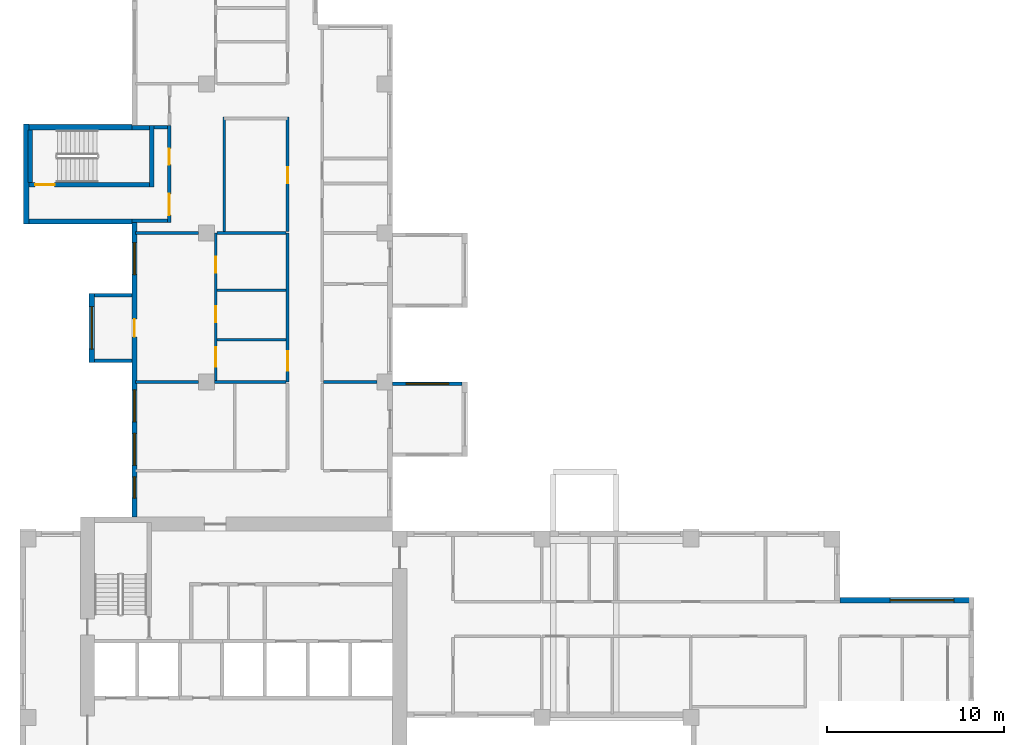
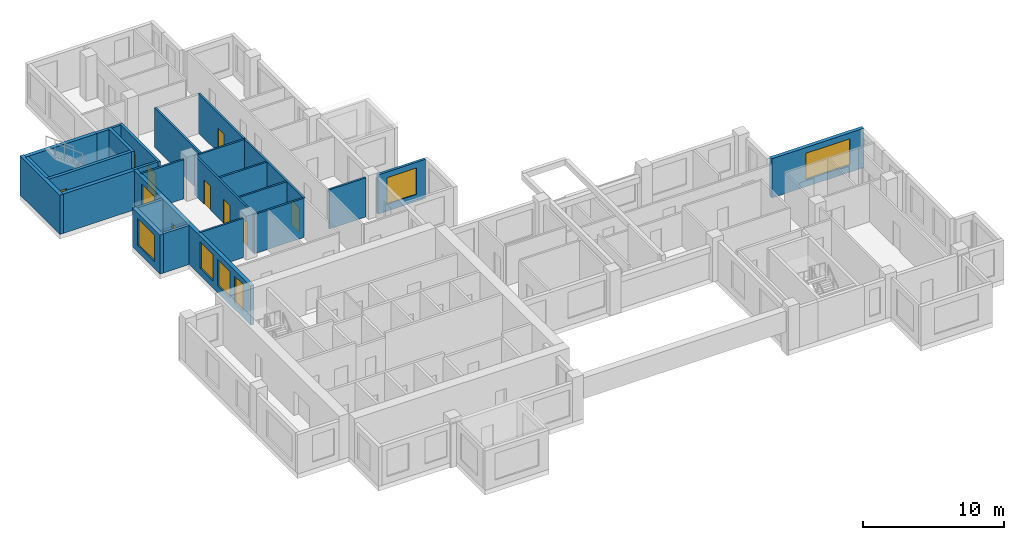
# One storey, part 6 of 11: 27 walls, 9 doors, 7 windows, 16 openings.
"""IFC4 building model written with IfcOpenShell, lengths in metres."""

from ifc_helpers import new_model, si_unit, direction, frame, frame_2d, origin, place, context, subcontext, project, spatial, rectangle, extrude, source, transform, mapped, material, layer, layer_set, type_object, element, fill, save


model = new_model("IFC4")

# Units and contexts
model_context = context("Model", 3, precision=1e-05, world=origin(), true_north=direction((0.0, 1.0)))
body_context = subcontext(model_context, "Body", "Model", "MODEL_VIEW")
ifc_project = project(units=[si_unit("LENGTHUNIT", "METRE"), si_unit("AREAUNIT", "SQUARE_METRE"), si_unit("VOLUMEUNIT", "CUBIC_METRE"), si_unit("PLANEANGLEUNIT", "RADIAN"), si_unit("MASSUNIT", "GRAM", prefix="KILO")], contexts=[model_context])

# Site, building, storey
site_placement = place(None, origin())
site = spatial("IfcSite", under=ifc_project, at=site_placement, CompositionType="ELEMENT")
building_placement = place(site_placement, origin())
building = spatial("IfcBuilding", under=site, at=building_placement, Name="Aurelian Terraces", CompositionType="ELEMENT")
storey_placement = place(building_placement, frame((0.0, 0.0, 212.0)))
storey = spatial("IfcBuildingStorey", under=building, at=storey_placement, Name="L47", CompositionType="ELEMENT", Elevation=212.0)

# Walls
ifc_material_1 = material(Name="Concrete fc' 40 MPa", Category="concrete")
ifc_layer_1 = layer(ifc_material_1, 0.3)
ifc_layer_set_1 = layer_set([ifc_layer_1], Name="STAIR BAY WALL 300")
wall_type_1 = type_object("IfcWallType", Name="STAIR BAY WALL 300", PredefinedType="SOLIDWALL", material=ifc_layer_set_1)
shared_shape_1 = source(origin(), body_context, "Body", "SweptSolid", [
    extrude(rectangle(XDim=6.1, YDim=0.3, at=frame_2d((3.05, 0.0))), origin(), (0.0, 0.0, 1.0), 3.4),
])
for number, where, z_axis, x_axis, name in (
    (1, (6.3, 43.75, 0.0), (0.0, 0.0, 1.0), (-1.0, 0.0, 0.0), "Stair bay wall L47 F17.30"),
    (2, (0.2, 38.45, 0.0), (0.0, 0.0, 1.0), (1.0, 0.0, 0.0), "Stair bay wall L47 F19.32"),
):
    element("IfcWall", number, at=place(storey_placement, frame(where, z_axis=z_axis, x_axis=x_axis)), inside=storey, type_object=wall_type_1, Name=name, PredefinedType="SOLIDWALL", context=body_context, shape_type="MappedRepresentation", body=[
        mapped(shared_shape_1, transform((0.0, 0.0, 0.0), scale=1.0)),
    ])

# Wall, opening, window
ifc_layer_2 = layer(ifc_material_1, 0.2)
ifc_layer_set_2 = layer_set([ifc_layer_2], Name="BOX BEARING WALL 200")
wall_type_2 = type_object("IfcWallType", Name="BOX BEARING WALL 200", PredefinedType="SOLIDWALL", material=ifc_layer_set_2)
shared_shape_2 = source(origin(), body_context, "Body", "SweptSolid", [
    extrude(rectangle(XDim=3.9, YDim=0.2, at=frame_2d((1.95, 0.0))), origin(), (0.0, 0.0, 1.0), 3.39),
])
wall_1_placement = place(storey_placement, frame((21.0, 29.3, 0.0), z_axis=(0.0, 0.0, 1.0), x_axis=(1.0, 0.0, 0.0)))
wall_1 = element("IfcWall", 3, at=wall_1_placement, inside=storey, type_object=wall_type_2, Name="Box return L47 J68.2", PredefinedType="SOLIDWALL", context=body_context, shape_type="MappedRepresentation", body=[
    mapped(shared_shape_2, transform((0.0, 0.0, 0.0), scale=1.0)),
])
shared_shape_3 = source(origin(), body_context, "Body", "SweptSolid", [
    extrude(rectangle(XDim=2.4, YDim=2.3, at=frame_2d((1.2, 1.15))), frame((0.0, 0.11, 0.0), z_axis=(0.0, -1.0, 0.0), x_axis=(1.0, 0.0, 0.0)), (0.0, 0.0, 1.0), 0.22),
])
opening_1_placement = place(wall_1_placement, frame((0.75, 0.0, 0.6)))
opening_1 = element("IfcOpeningElement", 4, at=opening_1_placement, cuts=wall_1, Name="Opening W2423", PredefinedType="OPENING", context=body_context, shape_type="MappedRepresentation", body=[
    mapped(shared_shape_3, transform((0.0, 0.0, 0.0), scale=1.0)),
])
ifc_material_2 = material(Name="Clear glazing", Category="glass")
window_type_1 = type_object("IfcWindowType", Name="W-2400x2300", PartitioningType="SINGLE_PANEL", PredefinedType="WINDOW", material=ifc_material_2)
shared_shape_4 = source(origin(), body_context, "Body", "SweptSolid", [
    extrude(rectangle(XDim=2.4, YDim=2.3, at=frame_2d((1.2, 1.15))), frame((0.0, 0.03, 0.0), z_axis=(0.0, -1.0, 0.0), x_axis=(1.0, 0.0, 0.0)), (0.0, 0.0, 1.0), 0.06),
])
window_1_placement = place(opening_1_placement, origin())
window_1 = element("IfcWindow", 5, at=window_1_placement, inside=storey, type_object=window_type_1, Name="Window L47 J68-S2", OverallHeight=2.3, OverallWidth=2.4, PartitioningType="SINGLE_PANEL", PredefinedType="WINDOW", context=body_context, shape_type="MappedRepresentation", body=[
    mapped(shared_shape_4, transform((0.0, 0.0, 0.0), scale=1.0)),
])
fill(opening_1, window_1)

# Wall
shared_shape_5 = source(origin(), body_context, "Body", "SweptSolid", [
    extrude(rectangle(XDim=5.65, YDim=0.3, at=frame_2d((2.825, 0.0))), origin(), (0.0, 0.0, 1.0), 3.4),
])
wall_2_placement = place(storey_placement, frame((0.35, 43.95, 0.0), z_axis=(0.0, 0.0, 1.0), x_axis=(0.0, -1.0, 0.0)))
element("IfcWall", 6, at=wall_2_placement, inside=storey, type_object=wall_type_1, Name="Stair bay wall L47 F18.31", PredefinedType="SOLIDWALL", context=body_context, shape_type="MappedRepresentation", body=[
    mapped(shared_shape_5, transform((0.0, 0.0, 0.0), scale=1.0)),
])

# Wall, openings, windows, door
ifc_material_3 = material(Name="Terracotta rainscreen cladding", Category="masonry")
ifc_layer_3 = layer(ifc_material_3, 0.3)
ifc_layer_set_3 = layer_set([ifc_layer_3], Name="EW-300")
wall_type_3 = type_object("IfcWallType", Name="EW-300", PredefinedType="STANDARD", material=ifc_layer_set_3)
shared_shape_6 = source(origin(), body_context, "Body", "SweptSolid", [
    extrude(rectangle(XDim=16.6, YDim=0.3, at=frame_2d((8.3, 0.0))), origin(), (0.0, 0.0, 1.0), 3.4),
])
wall_3_placement = place(storey_placement, frame((6.45, 38.4, 0.0), z_axis=(0.0, 0.0, 1.0), x_axis=(0.0, -1.0, 0.0)))
wall_3 = element("IfcWall", 7, at=wall_3_placement, inside=storey, type_object=wall_type_3, Name="External wall L47 F20.33", PredefinedType="STANDARD", context=body_context, shape_type="MappedRepresentation", body=[
    mapped(shared_shape_6, transform((0.0, 0.0, 0.0), scale=1.0)),
])
shared_shape_7 = source(origin(), body_context, "Body", "SweptSolid", [
    extrude(rectangle(XDim=1.8, YDim=2.3, at=frame_2d((0.9, 1.15))), frame((0.0, 0.16, 0.0), z_axis=(0.0, -1.0, 0.0), x_axis=(1.0, 0.0, 0.0)), (0.0, 0.0, 1.0), 0.32),
])
opening_2_placement = place(wall_3_placement, frame((1.15, 0.0, 0.6)))
opening_2 = element("IfcOpeningElement", 8, at=opening_2_placement, cuts=wall_3, Name="Opening W1823", PredefinedType="OPENING", context=body_context, shape_type="MappedRepresentation", body=[
    mapped(shared_shape_7, transform((0.0, 0.0, 0.0), scale=1.0)),
])
opening_3_placement = place(wall_3_placement, frame((9.4375, 0.0, 0.6)))
opening_3 = element("IfcOpeningElement", 9, at=opening_3_placement, cuts=wall_3, Name="Opening W1823", PredefinedType="OPENING", context=body_context, shape_type="MappedRepresentation", body=[
    mapped(shared_shape_7, transform((0.0, 0.0, 0.0), scale=1.0)),
])
shared_shape_8 = source(origin(), body_context, "Body", "SweptSolid", [
    extrude(rectangle(XDim=1.2, YDim=2.3, at=frame_2d((0.6, 1.15))), frame((0.0, 0.16, 0.0), z_axis=(0.0, -1.0, 0.0), x_axis=(1.0, 0.0, 0.0)), (0.0, 0.0, 1.0), 0.32),
])
opening_4_placement = place(wall_3_placement, frame((14.3375, 0.0, 0.6)))
opening_4 = element("IfcOpeningElement", 10, at=opening_4_placement, cuts=wall_3, Name="Opening W1223", PredefinedType="OPENING", context=body_context, shape_type="MappedRepresentation", body=[
    mapped(shared_shape_8, transform((0.0, 0.0, 0.0), scale=1.0)),
])
opening_5_placement = place(wall_3_placement, frame((11.8875, 0.0, 0.6)))
opening_5 = element("IfcOpeningElement", 11, at=opening_5_placement, cuts=wall_3, Name="Opening W1823", PredefinedType="OPENING", context=body_context, shape_type="MappedRepresentation", body=[
    mapped(shared_shape_7, transform((0.0, 0.0, 0.0), scale=1.0)),
])
shared_shape_9 = source(origin(), body_context, "Body", "SweptSolid", [
    extrude(rectangle(XDim=1.0, YDim=2.1, at=frame_2d((0.5, 1.05))), frame((0.0, 0.16, 0.0), z_axis=(0.0, -1.0, 0.0), x_axis=(1.0, 0.0, 0.0)), (0.0, 0.0, 1.0), 0.32),
])
opening_6_placement = place(wall_3_placement, frame((5.45, 0.0, 0.0)))
opening_6 = element("IfcOpeningElement", 12, at=opening_6_placement, cuts=wall_3, Name="Opening 847003", PredefinedType="OPENING", context=body_context, shape_type="MappedRepresentation", body=[
    mapped(shared_shape_9, transform((0.0, 0.0, 0.0), scale=1.0)),
])
window_type_2 = type_object("IfcWindowType", Name="W-1200x2300", PartitioningType="SINGLE_PANEL", PredefinedType="WINDOW", material=ifc_material_2)
shared_shape_10 = source(origin(), body_context, "Body", "SweptSolid", [
    extrude(rectangle(XDim=1.2, YDim=2.3, at=frame_2d((0.6, 1.15))), frame((0.0, 0.03, 0.0), z_axis=(0.0, -1.0, 0.0), x_axis=(1.0, 0.0, 0.0)), (0.0, 0.0, 1.0), 0.06),
])
window_2_placement = place(opening_4_placement, origin())
window_2 = element("IfcWindow", 13, at=window_2_placement, inside=storey, type_object=window_type_2, Name="Window L47 L47-F20-33-3", OverallHeight=2.3, OverallWidth=1.2, PartitioningType="SINGLE_PANEL", PredefinedType="WINDOW", context=body_context, shape_type="MappedRepresentation", body=[
    mapped(shared_shape_10, transform((0.0, 0.0, 0.0), scale=1.0)),
])
fill(opening_4, window_2)
window_type_3 = type_object("IfcWindowType", Name="W-1800x2300", PartitioningType="SINGLE_PANEL", PredefinedType="WINDOW", material=ifc_material_2)
shared_shape_11 = source(origin(), body_context, "Body", "SweptSolid", [
    extrude(rectangle(XDim=1.8, YDim=2.3, at=frame_2d((0.9, 1.15))), frame((0.0, 0.03, 0.0), z_axis=(0.0, -1.0, 0.0), x_axis=(1.0, 0.0, 0.0)), (0.0, 0.0, 1.0), 0.06),
])
window_3_placement = place(opening_2_placement, origin())
window_3 = element("IfcWindow", 14, at=window_3_placement, inside=storey, type_object=window_type_3, Name="Window L47 L47-F20-33-0", OverallHeight=2.3, OverallWidth=1.8, PartitioningType="SINGLE_PANEL", PredefinedType="WINDOW", context=body_context, shape_type="MappedRepresentation", body=[
    mapped(shared_shape_11, transform((0.0, 0.0, 0.0), scale=1.0)),
])
fill(opening_2, window_3)
window_4_placement = place(opening_3_placement, origin())
window_4 = element("IfcWindow", 15, at=window_4_placement, inside=storey, type_object=window_type_3, Name="Window L47 L47-F20-33-2", OverallHeight=2.3, OverallWidth=1.8, PartitioningType="SINGLE_PANEL", PredefinedType="WINDOW", context=body_context, shape_type="MappedRepresentation", body=[
    mapped(shared_shape_11, transform((0.0, 0.0, 0.0), scale=1.0)),
])
fill(opening_3, window_4)
window_5_placement = place(opening_5_placement, origin())
window_5 = element("IfcWindow", 16, at=window_5_placement, inside=storey, type_object=window_type_3, Name="Window L47 L47-F20-33-G0-111", OverallHeight=2.3, OverallWidth=1.8, PartitioningType="SINGLE_PANEL", PredefinedType="WINDOW", context=body_context, shape_type="MappedRepresentation", body=[
    mapped(shared_shape_11, transform((0.0, 0.0, 0.0), scale=1.0)),
])
fill(opening_5, window_5)
ifc_material_4 = material(Name="Timber door leaf", Category="wood")
door_type_1 = type_object("IfcDoorType", Name="Room door 1000x2100 left", OperationType="SINGLE_SWING_LEFT", PredefinedType="DOOR", material=ifc_material_4)
shared_shape_12 = source(origin(), body_context, "Body", "SweptSolid", [
    extrude(rectangle(XDim=1.0, YDim=2.1, at=frame_2d((0.5, 1.05))), frame((0.0, 0.025, 0.0), z_axis=(0.0, -1.0, 0.0), x_axis=(1.0, 0.0, 0.0)), (0.0, 0.0, 1.0), 0.05),
])
door_1_placement = place(opening_6_placement, origin())
door_1 = element("IfcDoor", 17, at=door_1_placement, inside=storey, type_object=door_type_1, Name="Door 847003", OperationType="SINGLE_SWING_LEFT", OverallHeight=2.1, OverallWidth=1.0, PredefinedType="DOOR", context=body_context, shape_type="MappedRepresentation", body=[
    mapped(shared_shape_12, transform((0.0, 0.0, 0.0), scale=1.0)),
])
fill(opening_6, door_1)

# Walls
shared_shape_13 = source(origin(), body_context, "Body", "SweptSolid", [
    extrude(rectangle(XDim=2.1, YDim=0.2, at=frame_2d((1.05, 0.0))), origin(), (0.0, 0.0, 1.0), 3.4),
])
for number, where, z_axis, x_axis, name in (
    (18, (6.3, 34.3, 0.0), (0.0, 0.0, 1.0), (-1.0, 0.0, 0.0), "Box return L47 J66.1"),
    (19, (6.3, 30.6, 0.0), (0.0, 0.0, 1.0), (-1.0, 0.0, 0.0), "Box return L47 J66.2"),
):
    element("IfcWall", number, at=place(storey_placement, frame(where, z_axis=z_axis, x_axis=x_axis)), inside=storey, type_object=wall_type_2, Name=name, PredefinedType="SOLIDWALL", context=body_context, shape_type="MappedRepresentation", body=[
        mapped(shared_shape_13, transform((0.0, 0.0, 0.0), scale=1.0)),
    ])

# Wall, opening, window
shared_shape_14 = source(origin(), body_context, "Body", "SweptSolid", [
    extrude(rectangle(XDim=7.56, YDim=0.3, at=frame_2d((3.78, 0.0))), origin(), (0.0, 0.0, 1.0), 3.4),
])
wall_4_placement = place(storey_placement, frame((53.76, 17.1, 0.0), z_axis=(0.0, 0.0, 1.0), x_axis=(-1.0, 0.0, 0.0)))
wall_4 = element("IfcWall", 20, at=wall_4_placement, inside=storey, type_object=wall_type_3, Name="External wall L47 F09.16", PredefinedType="STANDARD", context=body_context, shape_type="MappedRepresentation", body=[
    mapped(shared_shape_14, transform((0.0, 0.0, 0.0), scale=1.0)),
])
shared_shape_15 = source(origin(), body_context, "Body", "SweptSolid", [
    extrude(rectangle(XDim=3.6, YDim=2.3, at=frame_2d((1.8, 1.15))), frame((0.0, 0.16, 0.0), z_axis=(0.0, -1.0, 0.0), x_axis=(1.0, 0.0, 0.0)), (0.0, 0.0, 1.0), 0.32),
])
opening_7_placement = place(wall_4_placement, frame((1.14, 0.0, 0.6)))
opening_7 = element("IfcOpeningElement", 21, at=opening_7_placement, cuts=wall_4, Name="Opening W3623", PredefinedType="OPENING", context=body_context, shape_type="MappedRepresentation", body=[
    mapped(shared_shape_15, transform((0.0, 0.0, 0.0), scale=1.0)),
])
window_type_4 = type_object("IfcWindowType", Name="W-3600x2300", PartitioningType="SINGLE_PANEL", PredefinedType="WINDOW", material=ifc_material_2)
shared_shape_16 = source(origin(), body_context, "Body", "SweptSolid", [
    extrude(rectangle(XDim=3.6, YDim=2.3, at=frame_2d((1.8, 1.15))), frame((0.0, 0.03, 0.0), z_axis=(0.0, -1.0, 0.0), x_axis=(1.0, 0.0, 0.0)), (0.0, 0.0, 1.0), 0.06),
])
window_6_placement = place(opening_7_placement, origin())
window_6 = element("IfcWindow", 22, at=window_6_placement, inside=storey, type_object=window_type_4, Name="Window L47 L47-F09-16-0", OverallHeight=2.3, OverallWidth=3.6, PartitioningType="SINGLE_PANEL", PredefinedType="WINDOW", context=body_context, shape_type="MappedRepresentation", body=[
    mapped(shared_shape_16, transform((0.0, 0.0, 0.0), scale=1.0)),
])
fill(opening_7, window_6)

ifc_layer_4 = layer(ifc_material_1, 0.3)
ifc_layer_set_4 = layer_set([ifc_layer_4], Name="BOX BEARING WALL 300")
wall_type_4 = type_object("IfcWallType", Name="BOX BEARING WALL 300", PredefinedType="SOLIDWALL", material=ifc_layer_set_4)
shared_shape_17 = source(origin(), body_context, "Body", "SweptSolid", [
    extrude(rectangle(XDim=3.9, YDim=0.3, at=frame_2d((1.95, 0.0))), origin(), (0.0, 0.0, 1.0), 3.4),
])
wall_5_placement = place(storey_placement, frame((4.05, 34.4, 0.0), z_axis=(0.0, 0.0, 1.0), x_axis=(0.0, -1.0, 0.0)))
wall_5 = element("IfcWall", 23, at=wall_5_placement, inside=storey, type_object=wall_type_4, Name="Box wall L47 J66", PredefinedType="SOLIDWALL", context=body_context, shape_type="MappedRepresentation", body=[
    mapped(shared_shape_17, transform((0.0, 0.0, 0.0), scale=1.0)),
])
shared_shape_18 = source(origin(), body_context, "Body", "SweptSolid", [
    extrude(rectangle(XDim=2.4, YDim=2.3, at=frame_2d((1.2, 1.15))), frame((0.0, 0.16, 0.0), z_axis=(0.0, -1.0, 0.0), x_axis=(1.0, 0.0, 0.0)), (0.0, 0.0, 1.0), 0.32),
])
opening_8_placement = place(wall_5_placement, frame((0.75, 0.0, 0.6)))
opening_8 = element("IfcOpeningElement", 24, at=opening_8_placement, cuts=wall_5, Name="Opening W2423", PredefinedType="OPENING", context=body_context, shape_type="MappedRepresentation", body=[
    mapped(shared_shape_18, transform((0.0, 0.0, 0.0), scale=1.0)),
])
window_7_placement = place(opening_8_placement, origin())
window_7 = element("IfcWindow", 25, at=window_7_placement, inside=storey, type_object=window_type_1, Name="Window L47 J66-F1", OverallHeight=2.3, OverallWidth=2.4, PartitioningType="SINGLE_PANEL", PredefinedType="WINDOW", context=body_context, shape_type="MappedRepresentation", body=[
    mapped(shared_shape_4, transform((0.0, 0.0, 0.0), scale=1.0)),
])
fill(opening_8, window_7)

# Wall, opening, door
ifc_layer_5 = layer(ifc_material_1, 0.25)
ifc_layer_set_5 = layer_set([ifc_layer_5], Name="Stair enclosure wall 250")
wall_type_5 = type_object("IfcWallType", Name="Stair enclosure wall 250", PredefinedType="SOLIDWALL", material=ifc_layer_set_5)
shared_shape_19 = source(origin(), body_context, "Body", "SweptSolid", [
    extrude(rectangle(XDim=7.0, YDim=0.25, at=frame_2d((3.5, 0.0))), origin(), (0.0, 0.0, 1.0), 3.4),
])
wall_6_placement = place(storey_placement, frame((0.3, 40.525, 0.0), z_axis=(0.0, 0.0, 1.0), x_axis=(1.0, 0.0, 0.0)))
wall_6 = element("IfcWall", 26, at=wall_6_placement, inside=storey, type_object=wall_type_5, Name="L47 core wall ST-S3-W", PredefinedType="SOLIDWALL", context=body_context, shape_type="MappedRepresentation", body=[
    mapped(shared_shape_19, transform((0.0, 0.0, 0.0), scale=1.0)),
])
shared_shape_20 = source(origin(), body_context, "Body", "SweptSolid", [
    extrude(rectangle(XDim=1.1, YDim=2.1, at=frame_2d((0.55, 1.05))), frame((0.0, 0.135, 0.0), z_axis=(0.0, -1.0, 0.0), x_axis=(1.0, 0.0, 0.0)), (0.0, 0.0, 1.0), 0.27),
])
opening_9_placement = place(wall_6_placement, frame((0.55, 0.0, 0.0)))
opening_9 = element("IfcOpeningElement", 27, at=opening_9_placement, cuts=wall_6, Name="Opening 65018", PredefinedType="OPENING", context=body_context, shape_type="MappedRepresentation", body=[
    mapped(shared_shape_20, transform((0.0, 0.0, 0.0), scale=1.0)),
])
ifc_material_5 = material(Name="Steel door leaf", Category="steel")
door_type_2 = type_object("IfcDoorType", Name="Core fire door 1100x2100", OperationType="SINGLE_SWING_LEFT", PredefinedType="DOOR", material=ifc_material_5)
shared_shape_21 = source(origin(), body_context, "Body", "SweptSolid", [
    extrude(rectangle(XDim=1.1, YDim=2.1, at=frame_2d((0.55, 1.05))), frame((0.0, 0.025, 0.0), z_axis=(0.0, -1.0, 0.0), x_axis=(1.0, 0.0, 0.0)), (0.0, 0.0, 1.0), 0.05),
])
door_2_placement = place(opening_9_placement, origin())
door_2 = element("IfcDoor", 28, at=door_2_placement, inside=storey, type_object=door_type_2, Name="Stair door 65018", OperationType="SINGLE_SWING_LEFT", OverallHeight=2.1, OverallWidth=1.1, PredefinedType="DOOR", context=body_context, shape_type="MappedRepresentation", body=[
    mapped(shared_shape_21, transform((0.0, 0.0, 0.0), scale=1.0)),
])
fill(opening_9, door_2)

# Walls
shared_shape_22 = source(origin(), body_context, "Body", "SweptSolid", [
    extrude(rectangle(XDim=3.45, YDim=0.25, at=frame_2d((1.725, 0.0))), origin(), (0.0, 0.0, 1.0), 3.4),
])
wall_7_placement = place(storey_placement, frame((7.425, 40.4, 0.0), z_axis=(0.0, 0.0, 1.0), x_axis=(0.0, 1.0, 0.0)))
element("IfcWall", 29, at=wall_7_placement, inside=storey, type_object=wall_type_5, Name="L47 core wall ST-S3-N", PredefinedType="SOLIDWALL", context=body_context, shape_type="MappedRepresentation", body=[
    mapped(shared_shape_22, transform((0.0, 0.0, 0.0), scale=1.0)),
])
shared_shape_23 = source(origin(), body_context, "Body", "SweptSolid", [
    extrude(rectangle(XDim=2.95, YDim=0.25, at=frame_2d((1.475, 0.0))), origin(), (0.0, 0.0, 1.0), 3.4),
])
wall_8_placement = place(storey_placement, frame((0.575, 40.65, 0.0), z_axis=(0.0, 0.0, 1.0), x_axis=(0.0, 1.0, 0.0)))
element("IfcWall", 30, at=wall_8_placement, inside=storey, type_object=wall_type_5, Name="L47 core wall ST-S3-SS", PredefinedType="SOLIDWALL", context=body_context, shape_type="MappedRepresentation", body=[
    mapped(shared_shape_23, transform((0.0, 0.0, 0.0), scale=1.0)),
])

# Wall, openings, doors
ifc_material_6 = material(Name="Gypsum board on steel studs", Category="steel")
ifc_layer_6 = layer(ifc_material_6, 0.2)
ifc_layer_set_6 = layer_set([ifc_layer_6], Name="Core partition 200")
wall_type_6 = type_object("IfcWallType", Name="Core partition 200", PredefinedType="PARTITIONING", material=ifc_layer_set_6)
shared_shape_24 = source(origin(), body_context, "Body", "SweptSolid", [
    extrude(rectangle(XDim=5.45, YDim=0.2, at=frame_2d((2.725, 0.0))), origin(), (0.0, 0.0, 1.0), 3.4),
])
wall_9_placement = place(storey_placement, frame((8.4, 38.4, 0.0), z_axis=(0.0, 0.0, 1.0), x_axis=(0.0, 1.0, 0.0)))
wall_9 = element("IfcWall", 31, at=wall_9_placement, inside=storey, type_object=wall_type_6, Name="L47 core wall ST-S3-BN", PredefinedType="PARTITIONING", context=body_context, shape_type="MappedRepresentation", body=[
    mapped(shared_shape_24, transform((0.0, 0.0, 0.0), scale=1.0)),
])
shared_shape_25 = source(origin(), body_context, "Body", "SweptSolid", [
    extrude(rectangle(XDim=1.2, YDim=2.1, at=frame_2d((0.6, 1.05))), frame((0.0, 0.11, 0.0), z_axis=(0.0, -1.0, 0.0), x_axis=(1.0, 0.0, 0.0)), (0.0, 0.0, 1.0), 0.22),
])
opening_10_placement = place(wall_9_placement, frame((0.4, 0.0, 0.0)))
opening_10 = element("IfcOpeningElement", 32, at=opening_10_placement, cuts=wall_9, Name="Opening 65019", PredefinedType="OPENING", context=body_context, shape_type="MappedRepresentation", body=[
    mapped(shared_shape_25, transform((0.0, 0.0, 0.0), scale=1.0)),
])
shared_shape_26 = source(origin(), body_context, "Body", "SweptSolid", [
    extrude(rectangle(XDim=0.9, YDim=2.1, at=frame_2d((0.45, 1.05))), frame((0.0, 0.11, 0.0), z_axis=(0.0, -1.0, 0.0), x_axis=(1.0, 0.0, 0.0)), (0.0, 0.0, 1.0), 0.22),
])
opening_11_placement = place(wall_9_placement, frame((3.25, 0.0, 0.0)))
opening_11 = element("IfcOpeningElement", 33, at=opening_11_placement, cuts=wall_9, Name="Opening 65020", PredefinedType="OPENING", context=body_context, shape_type="MappedRepresentation", body=[
    mapped(shared_shape_26, transform((0.0, 0.0, 0.0), scale=1.0)),
])
door_type_3 = type_object("IfcDoorType", Name="Core riser door 900x2100", OperationType="SINGLE_SWING_LEFT", PredefinedType="DOOR", material=ifc_material_5)
shared_shape_27 = source(origin(), body_context, "Body", "SweptSolid", [
    extrude(rectangle(XDim=0.9, YDim=2.1, at=frame_2d((0.45, 1.05))), frame((0.0, 0.025, 0.0), z_axis=(0.0, -1.0, 0.0), x_axis=(1.0, 0.0, 0.0)), (0.0, 0.0, 1.0), 0.05),
])
door_3_placement = place(opening_11_placement, origin())
door_3 = element("IfcDoor", 34, at=door_3_placement, inside=storey, type_object=door_type_3, Name="Riser door 65020", OperationType="SINGLE_SWING_LEFT", OverallHeight=2.1, OverallWidth=0.9, PredefinedType="DOOR", context=body_context, shape_type="MappedRepresentation", body=[
    mapped(shared_shape_27, transform((0.0, 0.0, 0.0), scale=1.0)),
])
fill(opening_11, door_3)
door_type_4 = type_object("IfcDoorType", Name="Core fire door 1200x2100 right", OperationType="SINGLE_SWING_RIGHT", PredefinedType="DOOR", material=ifc_material_5)
shared_shape_28 = source(origin(), body_context, "Body", "SweptSolid", [
    extrude(rectangle(XDim=1.2, YDim=2.1, at=frame_2d((0.6, 1.05))), frame((0.0, 0.025, 0.0), z_axis=(0.0, -1.0, 0.0), x_axis=(1.0, 0.0, 0.0)), (0.0, 0.0, 1.0), 0.05),
])
door_4_placement = place(opening_10_placement, origin())
door_4 = element("IfcDoor", 35, at=door_4_placement, inside=storey, type_object=door_type_4, Name="Vestibule door 65019", OperationType="SINGLE_SWING_RIGHT", OverallHeight=2.1, OverallWidth=1.2, PredefinedType="DOOR", context=body_context, shape_type="MappedRepresentation", body=[
    mapped(shared_shape_28, transform((0.0, 0.0, 0.0), scale=1.0)),
])
fill(opening_10, door_4)

# Walls
shared_shape_29 = source(origin(), body_context, "Body", "SweptSolid", [
    extrude(rectangle(XDim=0.75, YDim=0.2, at=frame_2d((0.375, 0.0))), origin(), (0.0, 0.0, 1.0), 3.4),
])
wall_10_placement = place(storey_placement, frame((7.55, 43.75, 0.0), z_axis=(0.0, 0.0, 1.0), x_axis=(1.0, 0.0, 0.0)))
element("IfcWall", 36, at=wall_10_placement, inside=storey, type_object=wall_type_6, Name="L47 core wall ST-S3-RE", PredefinedType="PARTITIONING", context=body_context, shape_type="MappedRepresentation", body=[
    mapped(shared_shape_29, transform((0.0, 0.0, 0.0), scale=1.0)),
])
shared_shape_30 = source(origin(), body_context, "Body", "SweptSolid", [
    extrude(rectangle(XDim=1.0, YDim=0.25, at=frame_2d((0.5, 0.0))), origin(), (0.0, 0.0, 1.0), 3.4),
])
wall_11_placement = place(storey_placement, frame((6.3, 43.725, 0.0), z_axis=(0.0, 0.0, 1.0), x_axis=(1.0, 0.0, 0.0)))
element("IfcWall", 37, at=wall_11_placement, inside=storey, type_object=wall_type_5, Name="L47 core wall ST-S3-E", PredefinedType="SOLIDWALL", context=body_context, shape_type="MappedRepresentation", body=[
    mapped(shared_shape_30, transform((0.0, 0.0, 0.0), scale=1.0)),
])
shared_shape_31 = source(origin(), body_context, "Body", "SweptSolid", [
    extrude(rectangle(XDim=2.0, YDim=0.2, at=frame_2d((1.0, 0.0))), origin(), (0.0, 0.0, 1.0), 3.4),
])
wall_12_placement = place(storey_placement, frame((6.3, 38.5, 0.0), z_axis=(0.0, 0.0, 1.0), x_axis=(1.0, 0.0, 0.0)))
element("IfcWall", 38, at=wall_12_placement, inside=storey, type_object=wall_type_6, Name="L47 core wall ST-S3-VW", PredefinedType="PARTITIONING", context=body_context, shape_type="MappedRepresentation", body=[
    mapped(shared_shape_31, transform((0.0, 0.0, 0.0), scale=1.0)),
])
ifc_layer_7 = layer(ifc_material_6, 0.15)
ifc_layer_set_7 = layer_set([ifc_layer_7], Name="Partition 150")
wall_type_7 = type_object("IfcWallType", Name="Partition 150", PredefinedType="PARTITIONING", material=ifc_layer_set_7)
shared_shape_32 = source(origin(), body_context, "Body", "SweptSolid", [
    extrude(rectangle(XDim=6.45, YDim=0.15, at=frame_2d((3.225, 0.0))), origin(), (0.0, 0.0, 1.0), 3.4),
])
wall_13_placement = place(storey_placement, frame((11.5, 44.325, 0.0), z_axis=(0.0, 0.0, 1.0), x_axis=(0.0, -1.0, 0.0)))
element("IfcWall", 39, at=wall_13_placement, inside=storey, type_object=wall_type_7, Name="Partition", PredefinedType="PARTITIONING", context=body_context, shape_type="MappedRepresentation", body=[
    mapped(shared_shape_32, transform((0.0, 0.0, 0.0), scale=1.0)),
])

# Wall, opening, door
ifc_layer_8 = layer(ifc_material_6, 0.15)
ifc_layer_set_8 = layer_set([ifc_layer_8], Name="Fire partition 150")
wall_type_8 = type_object("IfcWallType", Name="Fire partition 150", PredefinedType="PARTITIONING", material=ifc_layer_set_8)
wall_14_placement = place(storey_placement, frame((15.075, 37.875, 0.0), z_axis=(0.0, 0.0, 1.0), x_axis=(0.0, 1.0, 0.0)))
wall_14 = element("IfcWall", 40, at=wall_14_placement, inside=storey, type_object=wall_type_8, Name="Corridor wall", PredefinedType="PARTITIONING", context=body_context, shape_type="MappedRepresentation", body=[
    mapped(shared_shape_32, transform((0.0, 0.0, 0.0), scale=1.0)),
])
shared_shape_33 = source(origin(), body_context, "Body", "SweptSolid", [
    extrude(rectangle(XDim=0.9, YDim=2.1, at=frame_2d((0.45, 1.05))), frame((0.0, 0.085, 0.0), z_axis=(0.0, -1.0, 0.0), x_axis=(1.0, 0.0, 0.0)), (0.0, 0.0, 1.0), 0.17),
])
opening_12_placement = place(wall_14_placement, frame((2.7375, 0.0, 0.0)))
opening_12 = element("IfcOpeningElement", 41, at=opening_12_placement, cuts=wall_14, Name="Opening 747019", PredefinedType="OPENING", context=body_context, shape_type="MappedRepresentation", body=[
    mapped(shared_shape_33, transform((0.0, 0.0, 0.0), scale=1.0)),
])
door_type_5 = type_object("IfcDoorType", Name="Room door 900x2100 left", OperationType="SINGLE_SWING_LEFT", PredefinedType="DOOR", material=ifc_material_4)
door_5_placement = place(opening_12_placement, origin())
door_5 = element("IfcDoor", 42, at=door_5_placement, inside=storey, type_object=door_type_5, Name="Door 747019", OperationType="SINGLE_SWING_LEFT", OverallHeight=2.1, OverallWidth=0.9, PredefinedType="DOOR", context=body_context, shape_type="MappedRepresentation", body=[
    mapped(shared_shape_27, transform((0.0, 0.0, 0.0), scale=1.0)),
])
fill(opening_12, door_5)

# Walls
shared_shape_34 = source(origin(), body_context, "Body", "SweptSolid", [
    extrude(rectangle(XDim=3.9, YDim=0.15, at=frame_2d((1.95, 0.0))), origin(), (0.0, 0.0, 1.0), 3.4),
])
for number, where, z_axis, x_axis, name in (
    (43, (15.0, 31.7771, 0.0), (0.0, 0.0, 1.0), (-1.0, 0.0, 0.0), "Partition"),
    (44, (15.0, 34.5827, 0.0), (0.0, 0.0, 1.0), (-1.0, 0.0, 0.0), "Partition"),
):
    element("IfcWall", number, at=place(storey_placement, frame(where, z_axis=z_axis, x_axis=x_axis)), inside=storey, type_object=wall_type_7, Name=name, PredefinedType="PARTITIONING", context=body_context, shape_type="MappedRepresentation", body=[
        mapped(shared_shape_34, transform((0.0, 0.0, 0.0), scale=1.0)),
    ])
wall_15_placement = place(storey_placement, frame((15.0, 37.8, 0.0), z_axis=(0.0, 0.0, 1.0), x_axis=(-1.0, 0.0, 0.0)))
element("IfcWall", 45, at=wall_15_placement, inside=storey, type_object=wall_type_8, Name="Party wall", PredefinedType="PARTITIONING", context=body_context, shape_type="MappedRepresentation", body=[
    mapped(shared_shape_34, transform((0.0, 0.0, 0.0), scale=1.0)),
])

# Wall, openings, doors
shared_shape_35 = source(origin(), body_context, "Body", "SweptSolid", [
    extrude(rectangle(XDim=8.4, YDim=0.15, at=frame_2d((4.2, 0.0))), origin(), (0.0, 0.0, 1.0), 3.4),
])
wall_16_placement = place(storey_placement, frame((11.025, 29.4, 0.0), z_axis=(0.0, 0.0, 1.0), x_axis=(0.0, 1.0, 0.0)))
wall_16 = element("IfcWall", 46, at=wall_16_placement, inside=storey, type_object=wall_type_7, Name="Partition", PredefinedType="PARTITIONING", context=body_context, shape_type="MappedRepresentation", body=[
    mapped(shared_shape_35, transform((0.0, 0.0, 0.0), scale=1.0)),
])
shared_shape_36 = source(origin(), body_context, "Body", "SweptSolid", [
    extrude(rectangle(XDim=1.1, YDim=2.1, at=frame_2d((0.55, 1.05))), frame((0.0, 0.085, 0.0), z_axis=(0.0, -1.0, 0.0), x_axis=(1.0, 0.0, 0.0)), (0.0, 0.0, 1.0), 0.17),
])
opening_13_placement = place(wall_16_placement, frame((0.876, 0.0, 0.0)))
opening_13 = element("IfcOpeningElement", 47, at=opening_13_placement, cuts=wall_16, Name="Opening 747022", PredefinedType="OPENING", context=body_context, shape_type="MappedRepresentation", body=[
    mapped(shared_shape_36, transform((0.0, 0.0, 0.0), scale=1.0)),
])
opening_14_placement = place(wall_16_placement, frame((3.3799, 0.0, 0.0)))
opening_14 = element("IfcOpeningElement", 48, at=opening_14_placement, cuts=wall_16, Name="Opening 747023", PredefinedType="OPENING", context=body_context, shape_type="MappedRepresentation", body=[
    mapped(shared_shape_33, transform((0.0, 0.0, 0.0), scale=1.0)),
])
opening_15_placement = place(wall_16_placement, frame((6.1538, 0.0, 0.0)))
opening_15 = element("IfcOpeningElement", 49, at=opening_15_placement, cuts=wall_16, Name="Opening 747024", PredefinedType="OPENING", context=body_context, shape_type="MappedRepresentation", body=[
    mapped(shared_shape_33, transform((0.0, 0.0, 0.0), scale=1.0)),
])
door_type_6 = type_object("IfcDoorType", Name="Room door 900x2100 right", OperationType="SINGLE_SWING_RIGHT", PredefinedType="DOOR", material=ifc_material_4)
door_6_placement = place(opening_14_placement, origin())
door_6 = element("IfcDoor", 50, at=door_6_placement, inside=storey, type_object=door_type_6, Name="Door 747023", OperationType="SINGLE_SWING_RIGHT", OverallHeight=2.1, OverallWidth=0.9, PredefinedType="DOOR", context=body_context, shape_type="MappedRepresentation", body=[
    mapped(shared_shape_27, transform((0.0, 0.0, 0.0), scale=1.0)),
])
fill(opening_14, door_6)
door_7_placement = place(opening_15_placement, origin())
door_7 = element("IfcDoor", 51, at=door_7_placement, inside=storey, type_object=door_type_5, Name="Door 747024", OperationType="SINGLE_SWING_LEFT", OverallHeight=2.1, OverallWidth=0.9, PredefinedType="DOOR", context=body_context, shape_type="MappedRepresentation", body=[
    mapped(shared_shape_27, transform((0.0, 0.0, 0.0), scale=1.0)),
])
fill(opening_15, door_7)
door_type_7 = type_object("IfcDoorType", Name="Room door 1100x2100 left", OperationType="SINGLE_SWING_LEFT", PredefinedType="DOOR", material=ifc_material_4)
door_8_placement = place(opening_13_placement, origin())
door_8 = element("IfcDoor", 52, at=door_8_placement, inside=storey, type_object=door_type_7, Name="Door 747022", OperationType="SINGLE_SWING_LEFT", OverallHeight=2.1, OverallWidth=1.1, PredefinedType="DOOR", context=body_context, shape_type="MappedRepresentation", body=[
    mapped(shared_shape_21, transform((0.0, 0.0, 0.0), scale=1.0)),
])
fill(opening_13, door_8)

# Wall, opening, door
wall_17_placement = place(storey_placement, frame((15.075, 29.4, 0.0), z_axis=(0.0, 0.0, 1.0), x_axis=(0.0, 1.0, 0.0)))
wall_17 = element("IfcWall", 53, at=wall_17_placement, inside=storey, type_object=wall_type_8, Name="Corridor wall", PredefinedType="PARTITIONING", context=body_context, shape_type="MappedRepresentation", body=[
    mapped(shared_shape_35, transform((0.0, 0.0, 0.0), scale=1.0)),
])
opening_16_placement = place(wall_17_placement, frame((0.6385, 0.0, 0.0)))
opening_16 = element("IfcOpeningElement", 54, at=opening_16_placement, cuts=wall_17, Name="Opening 747021", PredefinedType="OPENING", context=body_context, shape_type="MappedRepresentation", body=[
    mapped(shared_shape_36, transform((0.0, 0.0, 0.0), scale=1.0)),
])
door_type_8 = type_object("IfcDoorType", Name="Entrance fire door 1100x2100 right", OperationType="SINGLE_SWING_RIGHT", PredefinedType="DOOR", material=ifc_material_5)
door_9_placement = place(opening_16_placement, origin())
door_9 = element("IfcDoor", 55, at=door_9_placement, inside=storey, type_object=door_type_8, Name="Door 747021", OperationType="SINGLE_SWING_RIGHT", OverallHeight=2.1, OverallWidth=1.1, PredefinedType="DOOR", context=body_context, shape_type="MappedRepresentation", body=[
    mapped(shared_shape_21, transform((0.0, 0.0, 0.0), scale=1.0)),
])
fill(opening_16, door_9)

# Walls
shared_shape_37 = source(origin(), body_context, "Body", "SweptSolid", [
    extrude(rectangle(XDim=4.051, YDim=0.15, at=frame_2d((2.0255, 0.0))), origin(), (0.0, 0.0, 1.0), 3.4),
])
wall_18_placement = place(storey_placement, frame((15.0, 29.4, 0.0), z_axis=(0.0, 0.0, 1.0), x_axis=(-1.0, 0.0, 0.0)))
element("IfcWall", 56, at=wall_18_placement, inside=storey, type_object=wall_type_7, Name="Partition", PredefinedType="PARTITIONING", context=body_context, shape_type="MappedRepresentation", body=[
    mapped(shared_shape_37, transform((0.0, 0.0, 0.0), scale=1.0)),
])
shared_shape_38 = source(origin(), body_context, "Body", "SweptSolid", [
    extrude(rectangle(XDim=3.001, YDim=0.15, at=frame_2d((1.5005, 0.0))), origin(), (0.0, 0.0, 1.0), 3.4),
])
wall_19_placement = place(storey_placement, frame((20.101, 29.4, 0.0), z_axis=(0.0, 0.0, 1.0), x_axis=(-1.0, 0.0, 0.0)))
element("IfcWall", 57, at=wall_19_placement, inside=storey, type_object=wall_type_7, Name="Partition", PredefinedType="PARTITIONING", context=body_context, shape_type="MappedRepresentation", body=[
    mapped(shared_shape_38, transform((0.0, 0.0, 0.0), scale=1.0)),
])
shared_shape_39 = source(origin(), body_context, "Body", "SweptSolid", [
    extrude(rectangle(XDim=3.546, YDim=0.15, at=frame_2d((1.773, 0.0))), origin(), (0.0, 0.0, 1.0), 3.4),
])
wall_20_placement = place(storey_placement, frame((10.051, 29.4, 0.0), z_axis=(0.0, 0.0, 1.0), x_axis=(-1.0, 0.0, 0.0)))
element("IfcWall", 58, at=wall_20_placement, inside=storey, type_object=wall_type_7, Name="Partition", PredefinedType="PARTITIONING", context=body_context, shape_type="MappedRepresentation", body=[
    mapped(shared_shape_39, transform((0.0, 0.0, 0.0), scale=1.0)),
])
wall_21_placement = place(storey_placement, frame((10.051, 37.8, 0.0), z_axis=(0.0, 0.0, 1.0), x_axis=(-1.0, 0.0, 0.0)))
element("IfcWall", 59, at=wall_21_placement, inside=storey, type_object=wall_type_8, Name="Party wall", PredefinedType="PARTITIONING", context=body_context, shape_type="MappedRepresentation", body=[
    mapped(shared_shape_39, transform((0.0, 0.0, 0.0), scale=1.0)),
])

save(model, "model.ifc")
